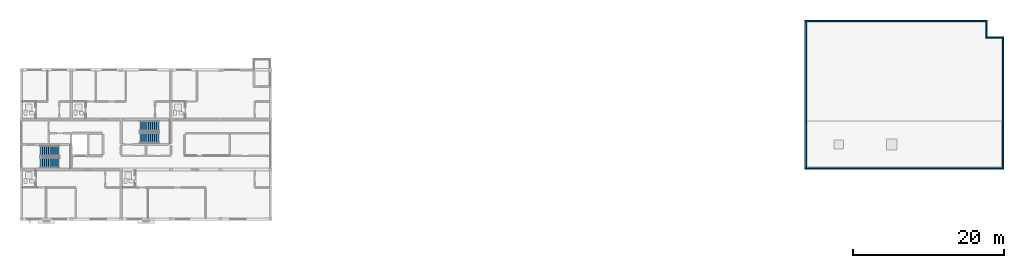
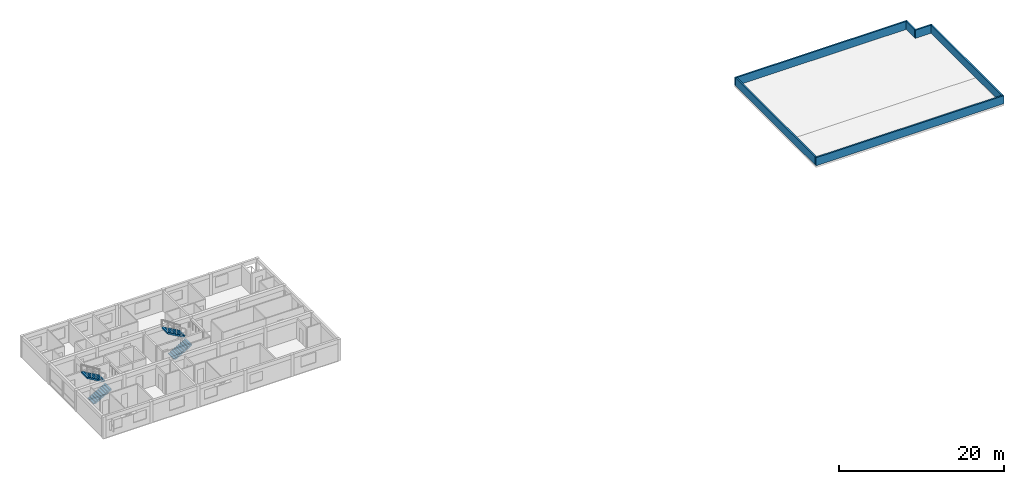
# One storey, part 11 of 15: 6 walls, 4 stair flights, 2 elements without a shape of their own.
"""IFC4 building model written with IfcOpenShell, lengths in metres."""

from ifc_helpers import new_model, si_unit, direction, frame, frame_2d, origin, place, context, subcontext, project, spatial, polyline, rectangle, outline, extrude, material, layer, layer_set, type_object, element, aggregate, save


model = new_model("IFC4")

# Units and contexts
model_context = context("Model", 3, precision=1e-05, world=origin(), true_north=direction((0.0, 1.0)))
body_context = subcontext(model_context, "Body", "Model", "MODEL_VIEW")
ifc_project = project(units=[si_unit("LENGTHUNIT", "METRE"), si_unit("AREAUNIT", "SQUARE_METRE"), si_unit("VOLUMEUNIT", "CUBIC_METRE"), si_unit("PLANEANGLEUNIT", "RADIAN"), si_unit("MASSUNIT", "GRAM", prefix="KILO")], contexts=[model_context])

# Site, building, storey
site_placement = place(None, origin())
site = spatial("IfcSite", under=ifc_project, at=site_placement, CompositionType="ELEMENT")
building_placement = place(site_placement, origin())
building = spatial("IfcBuilding", under=site, at=building_placement, Name="Kernevlak Ridge Housing Community", CompositionType="ELEMENT")
storey_placement = place(building_placement, frame((0.0, 0.0, 50.0)))
storey = spatial("IfcBuildingStorey", under=building, at=storey_placement, Name="L15", CompositionType="ELEMENT", Elevation=50.0)

# Walls
ifc_material = material(Name="Concrete C35/45", Category="concrete")
ifc_layer = layer(ifc_material, 0.215087890625, Name="Concrete C35/45")
ifc_layer_set = layer_set([ifc_layer], Name="Concrete C35/45")
wall_type = type_object("IfcWallType", Name="PR-02", PredefinedType="PARAPET", material=ifc_layer_set)
wall_1_placement = place(storey_placement, frame((119.41259765625, 82.719970703125, 0.0), z_axis=(0.0, 0.0, 1.0), x_axis=(1.0, 0.0, 0.0)))
element("IfcWall", 1, at=wall_1_placement, inside=storey, type_object=wall_type, Name="Block B roof parapet wall 1", PredefinedType="PARAPET", context=body_context, shape_type="SweptSolid", body=[
    extrude(rectangle(XDim=26.375, YDim=0.215087890625, at=frame_2d((13.1875, 0.0))), origin(), (0.0, 0.0, 1.0), 1.199951171875),
])
wall_2_placement = place(storey_placement, frame((145.679931640625, 82.827392578125, 0.0), z_axis=(0.0, 0.0, 1.0), x_axis=(0.0, 1.0, 0.0)))
element("IfcWall", 2, at=wall_2_placement, inside=storey, type_object=wall_type, Name="Block B roof parapet wall 2", PredefinedType="PARAPET", context=body_context, shape_type="SweptSolid", body=[
    extrude(rectangle(XDim=17.14501953125, YDim=0.215087890625, at=frame_2d((8.572509765625, 0.0))), origin(), (0.0, 0.0, 1.0), 1.199951171875),
])
wall_3_placement = place(storey_placement, frame((145.78759765625, 100.080078125, 0.0), z_axis=(0.0, 0.0, 1.0), x_axis=(-1.0, 0.0, 0.0)))
element("IfcWall", 3, at=wall_3_placement, inside=storey, type_object=wall_type, Name="Block B roof parapet wall 3", PredefinedType="PARAPET", context=body_context, shape_type="SweptSolid", body=[
    extrude(rectangle(XDim=2.4150390625, YDim=0.215087890625, at=frame_2d((1.20751953125, 0.0))), origin(), (0.0, 0.0, 1.0), 1.199951171875),
])
wall_4_placement = place(storey_placement, frame((143.47998046875, 100.1875, 0.0), z_axis=(0.0, 0.0, 1.0), x_axis=(0.0, 1.0, 0.0)))
element("IfcWall", 4, at=wall_4_placement, inside=storey, type_object=wall_type, Name="Block B roof parapet wall 4", PredefinedType="PARAPET", context=body_context, shape_type="SweptSolid", body=[
    extrude(rectangle(XDim=1.985107421875, YDim=0.215087890625, at=frame_2d((0.99267578125, 0.0))), origin(), (0.0, 0.0, 1.0), 1.199951171875),
])
wall_5_placement = place(storey_placement, frame((143.58740234375, 102.280029296875, 0.0), z_axis=(0.0, 0.0, 1.0), x_axis=(-1.0, 0.0, 0.0)))
element("IfcWall", 5, at=wall_5_placement, inside=storey, type_object=wall_type, Name="Block B roof parapet wall 5", PredefinedType="PARAPET", context=body_context, shape_type="SweptSolid", body=[
    extrude(rectangle(XDim=24.1748046875, YDim=0.215087890625, at=frame_2d((12.08740234375, 0.0))), origin(), (0.0, 0.0, 1.0), 1.199951171875),
])
wall_6_placement = place(storey_placement, frame((119.52001953125, 102.172607421875, 0.0), z_axis=(0.0, 0.0, 1.0), x_axis=(0.0, -1.0, 0.0)))
element("IfcWall", 6, at=wall_6_placement, inside=storey, type_object=wall_type, Name="Block B roof parapet wall 6", PredefinedType="PARAPET", context=body_context, shape_type="SweptSolid", body=[
    extrude(rectangle(XDim=19.34521484375, YDim=0.215087890625, at=frame_2d((9.672607421875, 0.0))), origin(), (0.0, 0.0, 1.0), 1.199951171875),
])

# Stair, stair flights
stair_type = type_object("IfcStairType", Name="SR-06", PredefinedType="HALF_TURN_STAIR", material=ifc_material)
stair_1_placement = place(storey_placement, origin())
stair_1 = element("IfcStair", 7, at=stair_1_placement, inside=storey, type_object=stair_type, Name="Stair ST-A1 L15", PredefinedType="HALF_TURN_STAIR")
stair_flight_type = type_object("IfcStairFlightType", Name="SF-06", PredefinedType="STRAIGHT", material=ifc_material)
stair_flight_1_placement = place(storey_placement, frame((18.080078125, 83.4599609375, 0.0), z_axis=(0.0, 0.0, 1.0), x_axis=(1.0, 0.0, 0.0)))
stair_flight_1 = element("IfcStairFlight", 8, at=stair_flight_1_placement, type_object=stair_flight_type, Name="SR-06 flight 1", NumberOfRisers=10, NumberOfTreads=9, PredefinedType="STRAIGHT", RiserHeight=0.16, TreadLength=0.28, context=body_context, shape_type="SweptSolid", body=[
    extrude(outline(polyline([(0.0, 0.0), (0.0, 0.159912109375), (0.280029296875, 0.159912109375), (0.280029296875, 0.320068359375), (0.56005859375, 0.320068359375), (0.56005859375, 0.47998046875), (0.840087890625, 0.47998046875), (0.840087890625, 0.639892578125), (1.1201171875, 0.639892578125), (1.1201171875, 0.800048828125), (1.39990234375, 0.800048828125), (1.39990234375, 0.9599609375), (1.679931640625, 0.9599609375), (1.679931640625, 1.1201171875), (1.9599609375, 1.1201171875), (1.9599609375, 1.280029296875), (2.239990234375, 1.280029296875), (2.239990234375, 1.43994140625), (2.52001953125, 1.43994140625), (2.52001953125, 1.60009765625), (2.52001953125, 1.244384765625), (0.342529296875, 0.0), (0.0, 0.0)])), frame((0.0, 0.719970703125, 0.0), z_axis=(0.0, -1.0, 0.0), x_axis=(1.0, 0.0, 0.0)), (0.0, 0.0, 1.0), 1.43994140625),
])
stair_flight_2_placement = place(storey_placement, frame((20.60009765625, 85.0400390625, 1.60009765625), z_axis=(0.0, 0.0, 1.0), x_axis=(-1.0, 0.0, 0.0)))
stair_flight_2 = element("IfcStairFlight", 9, at=stair_flight_2_placement, type_object=stair_flight_type, Name="SR-06 flight 2", NumberOfRisers=10, NumberOfTreads=9, PredefinedType="STRAIGHT", RiserHeight=0.16, TreadLength=0.28, context=body_context, shape_type="SweptSolid", body=[
    extrude(outline(polyline([(0.0, 0.0), (0.0, 0.159912109375), (0.280029296875, 0.159912109375), (0.280029296875, 0.320068359375), (0.56005859375, 0.320068359375), (0.56005859375, 0.47998046875), (0.840087890625, 0.47998046875), (0.840087890625, 0.639892578125), (1.1201171875, 0.639892578125), (1.1201171875, 0.800048828125), (1.39990234375, 0.800048828125), (1.39990234375, 0.9599609375), (1.679931640625, 0.9599609375), (1.679931640625, 1.1201171875), (1.9599609375, 1.1201171875), (1.9599609375, 1.280029296875), (2.239990234375, 1.280029296875), (2.239990234375, 1.43994140625), (2.52001953125, 1.43994140625), (2.52001953125, 1.60009765625), (2.52001953125, 1.244384765625), (0.342529296875, 0.0), (0.0, 0.0)])), frame((0.0, 0.719970703125, 0.0), z_axis=(0.0, -1.0, 0.0), x_axis=(1.0, 0.0, 0.0)), (0.0, 0.0, 1.0), 1.43994140625),
])
aggregate(stair_1, [stair_flight_1, stair_flight_2])

stair_2_placement = place(storey_placement, origin())
stair_2 = element("IfcStair", 10, at=stair_2_placement, inside=storey, type_object=stair_type, Name="Stair ST-A2 L15", PredefinedType="HALF_TURN_STAIR")
stair_flight_3_placement = place(storey_placement, frame((31.280029296875, 86.760009765625, 0.0), z_axis=(0.0, 0.0, 1.0), x_axis=(1.0, 0.0, 0.0)))
stair_flight_3 = element("IfcStairFlight", 11, at=stair_flight_3_placement, type_object=stair_flight_type, Name="SR-06 flight 1", NumberOfRisers=10, NumberOfTreads=9, PredefinedType="STRAIGHT", RiserHeight=0.16, TreadLength=0.28, context=body_context, shape_type="SweptSolid", body=[
    extrude(outline(polyline([(0.0, 0.0), (0.0, 0.159912109375), (0.280029296875, 0.159912109375), (0.280029296875, 0.320068359375), (0.56005859375, 0.320068359375), (0.56005859375, 0.47998046875), (0.840087890625, 0.47998046875), (0.840087890625, 0.639892578125), (1.1201171875, 0.639892578125), (1.1201171875, 0.800048828125), (1.39990234375, 0.800048828125), (1.39990234375, 0.9599609375), (1.679931640625, 0.9599609375), (1.679931640625, 1.1201171875), (1.9599609375, 1.1201171875), (1.9599609375, 1.280029296875), (2.239990234375, 1.280029296875), (2.239990234375, 1.43994140625), (2.52001953125, 1.43994140625), (2.52001953125, 1.60009765625), (2.52001953125, 1.244384765625), (0.342529296875, 0.0), (0.0, 0.0)])), frame((0.0, 0.719970703125, 0.0), z_axis=(0.0, -1.0, 0.0), x_axis=(1.0, 0.0, 0.0)), (0.0, 0.0, 1.0), 1.43994140625),
])
stair_flight_4_placement = place(storey_placement, frame((33.800048828125, 88.340087890625, 1.60009765625), z_axis=(0.0, 0.0, 1.0), x_axis=(-1.0, 0.0, 0.0)))
stair_flight_4 = element("IfcStairFlight", 12, at=stair_flight_4_placement, type_object=stair_flight_type, Name="SR-06 flight 2", NumberOfRisers=10, NumberOfTreads=9, PredefinedType="STRAIGHT", RiserHeight=0.16, TreadLength=0.28, context=body_context, shape_type="SweptSolid", body=[
    extrude(outline(polyline([(0.0, 0.0), (0.0, 0.159912109375), (0.280029296875, 0.159912109375), (0.280029296875, 0.320068359375), (0.56005859375, 0.320068359375), (0.56005859375, 0.47998046875), (0.840087890625, 0.47998046875), (0.840087890625, 0.639892578125), (1.1201171875, 0.639892578125), (1.1201171875, 0.800048828125), (1.39990234375, 0.800048828125), (1.39990234375, 0.9599609375), (1.679931640625, 0.9599609375), (1.679931640625, 1.1201171875), (1.9599609375, 1.1201171875), (1.9599609375, 1.280029296875), (2.239990234375, 1.280029296875), (2.239990234375, 1.43994140625), (2.52001953125, 1.43994140625), (2.52001953125, 1.60009765625), (2.52001953125, 1.244384765625), (0.342529296875, 0.0), (0.0, 0.0)])), frame((0.0, 0.719970703125, 0.0), z_axis=(0.0, -1.0, 0.0), x_axis=(1.0, 0.0, 0.0)), (0.0, 0.0, 1.0), 1.43994140625),
])
aggregate(stair_2, [stair_flight_3, stair_flight_4])

save(model, "model.ifc")
